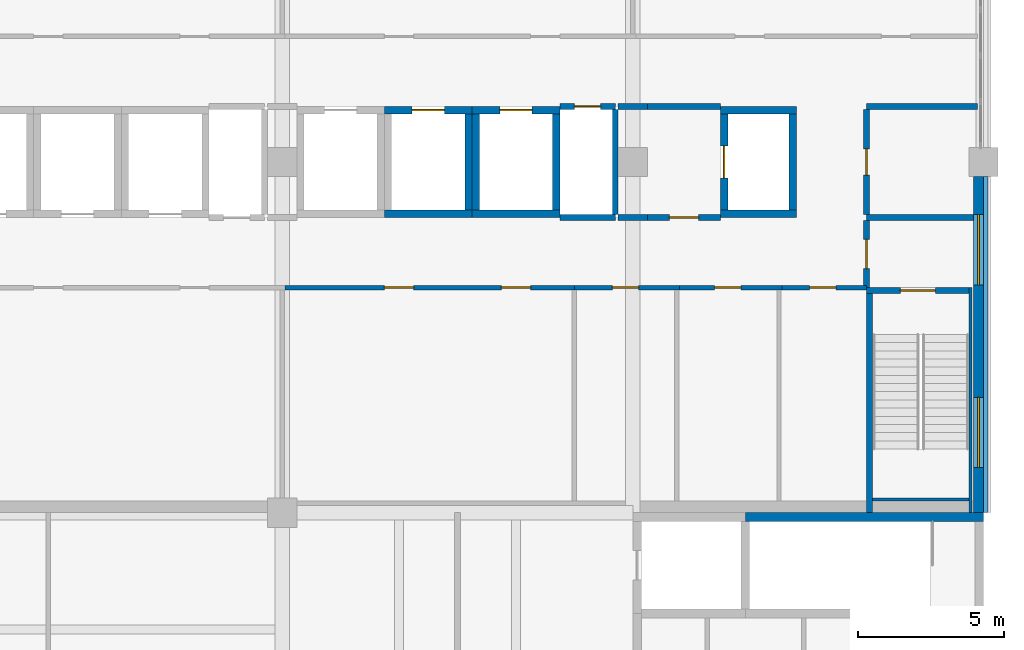
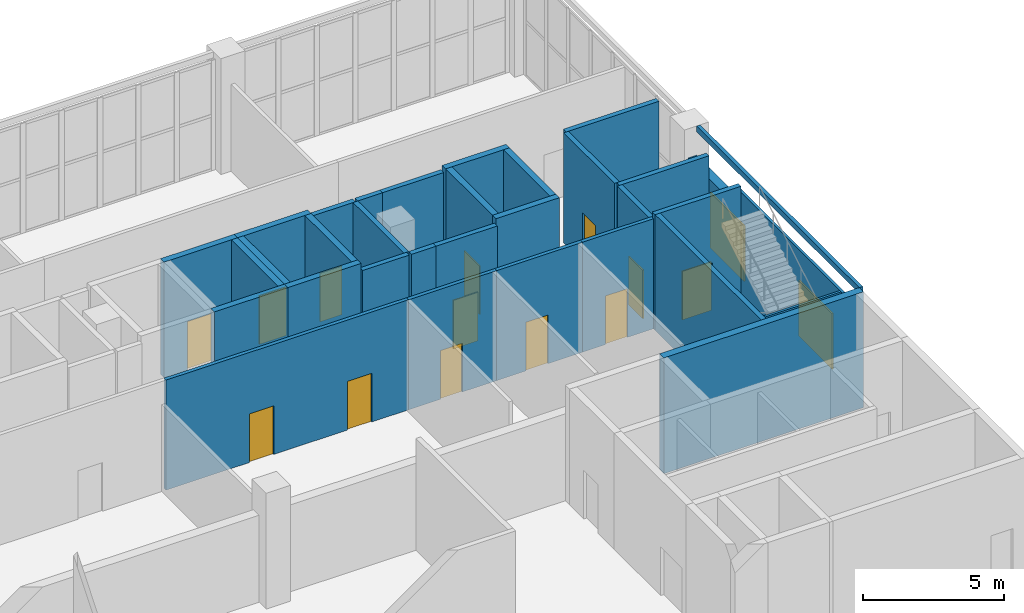
# One storey, part 64 of 69: 33 walls, 13 doors, 2 windows, 15 openings.
"""IFC4 building model written with IfcOpenShell, lengths in metres."""

from ifc_helpers import new_model, si_unit, direction, frame, frame_2d, origin, place, context, subcontext, project, spatial, rectangle, extrude, material, layer, layer_set, type_object, element, fill, save


model = new_model("IFC4")

# Units and contexts
model_context = context("Model", 3, precision=1e-05, world=origin(), true_north=direction((0.0, 1.0)))
body_context = subcontext(model_context, "Body", "Model", "MODEL_VIEW")
ifc_project = project(units=[si_unit("LENGTHUNIT", "METRE"), si_unit("AREAUNIT", "SQUARE_METRE"), si_unit("VOLUMEUNIT", "CUBIC_METRE"), si_unit("PLANEANGLEUNIT", "RADIAN"), si_unit("MASSUNIT", "GRAM", prefix="KILO")], contexts=[model_context])

# Site, building, storey
site_placement = place(None, origin())
site = spatial("IfcSite", under=ifc_project, at=site_placement, CompositionType="ELEMENT")
building_placement = place(site_placement, origin())
building = spatial("IfcBuilding", under=site, at=building_placement, Name="Lilac Gate Convention Centre", CompositionType="ELEMENT")
storey_placement = place(building_placement, frame((0.0, 0.0, 12.0)))
storey = spatial("IfcBuildingStorey", under=building, at=storey_placement, Name="L02", CompositionType="ELEMENT", Elevation=12.0)

# Walls
ifc_material_1 = material(Name="Concrete C60", Category="concrete")
ifc_layer_1 = layer(ifc_material_1, 0.10009765625)
ifc_layer_set_1 = layer_set([ifc_layer_1], Name="Concrete C60")
wall_type_1 = type_object("IfcWallType", Name="Core wall 100 C60", PredefinedType="SHEAR", material=ifc_layer_set_1)
wall_1_placement = place(storey_placement, frame((89.550048828125, 229.699951171875, 0.0), z_axis=(0.0, 0.0, 1.0), x_axis=(0.0, -1.0, 0.0)))
element("IfcWall", 1, at=wall_1_placement, inside=storey, type_object=wall_type_1, Name="CRW8 core wall TS-EX L02 1", PredefinedType="SHEAR", context=body_context, shape_type="SweptSolid", body=[
    extrude(rectangle(XDim=7.699951171875, YDim=0.10009765625, at=frame_2d((3.85009765625, 0.0))), origin(), (0.0, 0.0, 1.0), 4.75),
])
wall_2_placement = place(storey_placement, frame((89.5, 222.449951171875, 0.0), z_axis=(0.0, 0.0, 1.0), x_axis=(-1.0, 0.0, 0.0)))
element("IfcWall", 2, at=wall_2_placement, inside=storey, type_object=wall_type_1, Name="CRW8 core wall TS-EX L02 2", PredefinedType="SHEAR", context=body_context, shape_type="SweptSolid", body=[
    extrude(rectangle(XDim=3.300048828125, YDim=0.10009765625, at=frame_2d((1.64990234375, 0.0))), origin(), (0.0, 0.0, 1.0), 4.75),
])

# Wall, opening, door
ifc_layer_2 = layer(ifc_material_1, 0.199951171875)
ifc_layer_set_2 = layer_set([ifc_layer_2], Name="Concrete C60")
wall_type_2 = type_object("IfcWallType", Name="Core wall 200 C60", PredefinedType="SHEAR", material=ifc_layer_set_2)
wall_3_placement = place(storey_placement, frame((89.5, 229.60009765625, 0.0), z_axis=(0.0, 0.0, 1.0), x_axis=(-1.0, 0.0, 0.0)))
wall_3 = element("IfcWall", 3, at=wall_3_placement, inside=storey, type_object=wall_type_2, Name="CRW2 core wall TS-E L02 1", PredefinedType="SHEAR", context=body_context, shape_type="SweptSolid", body=[
    extrude(rectangle(XDim=3.5, YDim=0.199951171875, at=frame_2d((1.75, 0.0))), origin(), (0.0, 0.0, 1.0), 5.0),
])
opening_1_placement = place(wall_3_placement, frame((1.14990234375, 0.0, 0.0)))
opening_1 = element("IfcOpeningElement", 4, at=opening_1_placement, cuts=wall_3, Name="Opening T02-034", PredefinedType="OPENING", context=body_context, shape_type="SweptSolid", body=[
    extrude(rectangle(XDim=1.199951171875, YDim=2.10009765625, at=frame_2d((0.60009765625, 1.050048828125))), frame((0.0, 0.10986328125, 0.0), z_axis=(0.0, -1.0, 0.0), x_axis=(1.0, 0.0, 0.0)), (0.0, 0.0, 1.0), 0.219970703125),
])
ifc_material_2 = material(Name="Steel Q235B", Category="steel")
door_type_1 = type_object("IfcDoorType", Name="Stair door 1200", OperationType="SINGLE_SWING_LEFT", PredefinedType="DOOR", material=ifc_material_2)
door_1_placement = place(opening_1_placement, origin())
door_1 = element("IfcDoor", 5, at=door_1_placement, inside=storey, type_object=door_type_1, Name="Stair door SE L02", OperationType="SINGLE_SWING_RIGHT", OverallHeight=2.10009765625, OverallWidth=1.199951171875, PredefinedType="DOOR", context=body_context, shape_type="SweptSolid", body=[
    extrude(rectangle(XDim=1.199951171875, YDim=2.10009765625, at=frame_2d((0.60009765625, 1.050048828125))), frame((0.0, 0.02490234375, 0.0), z_axis=(0.0, -1.0, 0.0), x_axis=(1.0, 0.0, 0.0)), (0.0, 0.0, 1.0), 0.050048828125),
])
fill(opening_1, door_1)

# Walls
wall_4_placement = place(storey_placement, frame((86.10009765625, 222.0, 0.0), z_axis=(0.0, 0.0, 1.0), x_axis=(0.0, 1.0, 0.0)))
element("IfcWall", 6, at=wall_4_placement, inside=storey, type_object=wall_type_2, Name="CRW2 core wall TS-E L02 2", PredefinedType="SHEAR", context=body_context, shape_type="SweptSolid", body=[
    extrude(rectangle(XDim=7.5, YDim=0.199951171875, at=frame_2d((3.75, 0.0))), origin(), (0.0, 0.0, 1.0), 5.0),
])
ifc_layer_3 = layer(ifc_material_1, 0.25)
ifc_layer_set_3 = layer_set([ifc_layer_3], Name="Concrete C60")
wall_type_3 = type_object("IfcWallType", Name="Core wall 250 C60", PredefinedType="SHEAR", material=ifc_layer_set_3)
wall_5_placement = place(storey_placement, frame((69.5, 232.22509765625, 0.0), z_axis=(0.0, 0.0, 1.0), x_axis=(1.0, 0.0, 0.0)))
element("IfcWall", 7, at=wall_5_placement, inside=storey, type_object=wall_type_3, Name="CRW3 core wall TC L02 17", PredefinedType="SHEAR", context=body_context, shape_type="SweptSolid", body=[
    extrude(rectangle(XDim=3.0, YDim=0.25, at=frame_2d((1.5, 0.0))), origin(), (0.0, 0.0, 1.0), 5.0),
])

# Wall, opening, door
wall_6_placement = place(storey_placement, frame((69.5, 235.77490234375, 0.0), z_axis=(0.0, 0.0, 1.0), x_axis=(1.0, 0.0, 0.0)))
wall_6 = element("IfcWall", 8, at=wall_6_placement, inside=storey, type_object=wall_type_3, Name="CRW3 core wall TC L02 18", PredefinedType="SHEAR", context=body_context, shape_type="SweptSolid", body=[
    extrude(rectangle(XDim=3.0, YDim=0.25, at=frame_2d((1.5, 0.0))), origin(), (0.0, 0.0, 1.0), 5.0),
])
opening_2_placement = place(wall_6_placement, frame((0.949951171875, 0.0, 0.0)))
opening_2 = element("IfcOpeningElement", 9, at=opening_2_placement, cuts=wall_6, Name="Opening T02-028", PredefinedType="OPENING", context=body_context, shape_type="SweptSolid", body=[
    extrude(rectangle(XDim=1.10009765625, YDim=2.10009765625, at=frame_2d((0.550048828125, 1.050048828125))), frame((0.0, 0.135009765625, 0.0), z_axis=(0.0, -1.0, 0.0), x_axis=(1.0, 0.0, 0.0)), (0.0, 0.0, 1.0), 0.27001953125),
])
ifc_material_3 = material(Name="Stainless steel 304", Category="steel")
door_type_2 = type_object("IfcDoorType", Name="Lift landing door 1100", OperationType="SLIDING_TO_LEFT", PredefinedType="DOOR", material=ifc_material_3)
door_2_placement = place(opening_2_placement, origin())
door_2 = element("IfcDoor", 10, at=door_2_placement, inside=storey, type_object=door_type_2, Name="Lift landing door TP5 L02", OperationType="SLIDING_TO_LEFT", OverallHeight=2.10009765625, OverallWidth=1.10009765625, PredefinedType="DOOR", context=body_context, shape_type="SweptSolid", body=[
    extrude(rectangle(XDim=1.10009765625, YDim=2.10009765625, at=frame_2d((0.550048828125, 1.050048828125))), frame((0.0, 0.02490234375, 0.0), z_axis=(0.0, -1.0, 0.0), x_axis=(1.0, 0.0, 0.0)), (0.0, 0.0, 1.0), 0.050048828125),
])
fill(opening_2, door_2)

# Walls
wall_7_placement = place(storey_placement, frame((72.375, 232.35009765625, 0.0), z_axis=(0.0, 0.0, 1.0), x_axis=(0.0, 1.0, 0.0)))
element("IfcWall", 11, at=wall_7_placement, inside=storey, type_object=wall_type_3, Name="CRW3 core wall TC L02 20", PredefinedType="SHEAR", context=body_context, shape_type="SweptSolid", body=[
    extrude(rectangle(XDim=3.2998046875, YDim=0.25, at=frame_2d((1.64990234375, 0.0))), origin(), (0.0, 0.0, 1.0), 5.0),
])
wall_8_placement = place(storey_placement, frame((72.5, 232.22509765625, 0.0), z_axis=(0.0, 0.0, 1.0), x_axis=(1.0, 0.0, 0.0)))
element("IfcWall", 12, at=wall_8_placement, inside=storey, type_object=wall_type_3, Name="CRW3 core wall TC L02 21", PredefinedType="SHEAR", context=body_context, shape_type="SweptSolid", body=[
    extrude(rectangle(XDim=3.0, YDim=0.25, at=frame_2d((1.5, 0.0))), origin(), (0.0, 0.0, 1.0), 5.0),
])

# Wall, opening, door
wall_9_placement = place(storey_placement, frame((72.5, 235.77490234375, 0.0), z_axis=(0.0, 0.0, 1.0), x_axis=(1.0, 0.0, 0.0)))
wall_9 = element("IfcWall", 13, at=wall_9_placement, inside=storey, type_object=wall_type_3, Name="CRW3 core wall TC L02 22", PredefinedType="SHEAR", context=body_context, shape_type="SweptSolid", body=[
    extrude(rectangle(XDim=3.0, YDim=0.25, at=frame_2d((1.5, 0.0))), origin(), (0.0, 0.0, 1.0), 5.0),
])
opening_3_placement = place(wall_9_placement, frame((0.949951171875, 0.0, 0.0)))
opening_3 = element("IfcOpeningElement", 14, at=opening_3_placement, cuts=wall_9, Name="Opening T02-029", PredefinedType="OPENING", context=body_context, shape_type="SweptSolid", body=[
    extrude(rectangle(XDim=1.10009765625, YDim=2.10009765625, at=frame_2d((0.550048828125, 1.050048828125))), frame((0.0, 0.135009765625, 0.0), z_axis=(0.0, -1.0, 0.0), x_axis=(1.0, 0.0, 0.0)), (0.0, 0.0, 1.0), 0.27001953125),
])
door_3_placement = place(opening_3_placement, origin())
door_3 = element("IfcDoor", 15, at=door_3_placement, inside=storey, type_object=door_type_2, Name="Lift landing door TP6 L02", OperationType="SLIDING_TO_LEFT", OverallHeight=2.10009765625, OverallWidth=1.10009765625, PredefinedType="DOOR", context=body_context, shape_type="SweptSolid", body=[
    extrude(rectangle(XDim=1.10009765625, YDim=2.10009765625, at=frame_2d((0.550048828125, 1.050048828125))), frame((0.0, 0.02490234375, 0.0), z_axis=(0.0, -1.0, 0.0), x_axis=(1.0, 0.0, 0.0)), (0.0, 0.0, 1.0), 0.050048828125),
])
fill(opening_3, door_3)

# Walls
for number, where, z_axis, x_axis, name in (
    (16, (72.625, 232.35009765625, 0.0), (0.0, 0.0, 1.0), (0.0, 1.0, 0.0), "CRW3 core wall TC L02 23"),
    (17, (75.375, 232.35009765625, 0.0), (0.0, 0.0, 1.0), (0.0, 1.0, 0.0), "CRW3 core wall TC L02 24"),
):
    element("IfcWall", number, at=place(storey_placement, frame(where, z_axis=z_axis, x_axis=x_axis)), inside=storey, type_object=wall_type_3, Name=name, PredefinedType="SHEAR", context=body_context, shape_type="SweptSolid", body=[
        extrude(rectangle(XDim=3.2998046875, YDim=0.25, at=frame_2d((1.64990234375, 0.0))), origin(), (0.0, 0.0, 1.0), 5.0),
    ])
for number, where, z_axis, x_axis, name in (
    (18, (81.0, 232.22509765625, 0.0), (0.0, 0.0, 1.0), (1.0, 0.0, 0.0), "CRW3 core wall TC L02 33"),
    (19, (81.0, 235.77490234375, 0.0), (0.0, 0.0, 1.0), (1.0, 0.0, 0.0), "CRW3 core wall TC L02 34"),
):
    element("IfcWall", number, at=place(storey_placement, frame(where, z_axis=z_axis, x_axis=x_axis)), inside=storey, type_object=wall_type_3, Name=name, PredefinedType="SHEAR", context=body_context, shape_type="SweptSolid", body=[
        extrude(rectangle(XDim=2.60009765625, YDim=0.25, at=frame_2d((1.300048828125, 0.0))), origin(), (0.0, 0.0, 1.0), 5.0),
    ])

# Wall, opening, door
wall_10_placement = place(storey_placement, frame((81.125, 232.35009765625, 0.0), z_axis=(0.0, 0.0, 1.0), x_axis=(0.0, 1.0, 0.0)))
wall_10 = element("IfcWall", 20, at=wall_10_placement, inside=storey, type_object=wall_type_3, Name="CRW3 core wall TC L02 35", PredefinedType="SHEAR", context=body_context, shape_type="SweptSolid", body=[
    extrude(rectangle(XDim=3.2998046875, YDim=0.25, at=frame_2d((1.64990234375, 0.0))), origin(), (0.0, 0.0, 1.0), 5.0),
])
opening_4_placement = place(wall_10_placement, frame((1.10009765625, 0.0, 0.0)))
opening_4 = element("IfcOpeningElement", 21, at=opening_4_placement, cuts=wall_10, Name="Opening T02-032", PredefinedType="OPENING", context=body_context, shape_type="SweptSolid", body=[
    extrude(rectangle(XDim=1.10009765625, YDim=2.10009765625, at=frame_2d((0.550048828125, 1.050048828125))), frame((0.0, 0.135009765625, 0.0), z_axis=(0.0, -1.0, 0.0), x_axis=(1.0, 0.0, 0.0)), (0.0, 0.0, 1.0), 0.27001953125),
])
door_4_placement = place(opening_4_placement, origin())
door_4 = element("IfcDoor", 22, at=door_4_placement, inside=storey, type_object=door_type_2, Name="Lift landing door TF1 L02", OperationType="SLIDING_TO_LEFT", OverallHeight=2.10009765625, OverallWidth=1.10009765625, PredefinedType="DOOR", context=body_context, shape_type="SweptSolid", body=[
    extrude(rectangle(XDim=1.10009765625, YDim=2.10009765625, at=frame_2d((0.550048828125, 1.050048828125))), frame((0.0, 0.02490234375, 0.0), z_axis=(0.0, -1.0, 0.0), x_axis=(1.0, 0.0, 0.0)), (0.0, 0.0, 1.0), 0.050048828125),
])
fill(opening_4, door_4)

# Wall
wall_11_placement = place(storey_placement, frame((83.47509765625, 232.35009765625, 0.0), z_axis=(0.0, 0.0, 1.0), x_axis=(0.0, 1.0, 0.0)))
element("IfcWall", 23, at=wall_11_placement, inside=storey, type_object=wall_type_3, Name="CRW3 core wall TC L02 36", PredefinedType="SHEAR", context=body_context, shape_type="SweptSolid", body=[
    extrude(rectangle(XDim=3.2998046875, YDim=0.25, at=frame_2d((1.64990234375, 0.0))), origin(), (0.0, 0.0, 1.0), 5.0),
])

# Wall, openings, doors
ifc_material_4 = material(Name="Gypsum board on steel stud", Category="steel")
ifc_layer_4 = layer(ifc_material_4, 0.14990234375)
ifc_layer_set_4 = layer_set([ifc_layer_4], Name="Gypsum board on steel stud")
wall_type_4 = type_object("IfcWallType", Name="Corridor wall 150", PredefinedType="PARTITIONING", material=ifc_layer_set_4)
wall_12_placement = place(storey_placement, frame((76.0, 229.699951171875, 0.0), z_axis=(0.0, 0.0, 1.0), x_axis=(-1.0, 0.0, 0.0)))
wall_12 = element("IfcWall", 24, at=wall_12_placement, inside=storey, type_object=wall_type_4, Name="Corridor wall 150 front M53", PredefinedType="PARTITIONING", context=body_context, shape_type="SweptSolid", body=[
    extrude(rectangle(XDim=9.89990234375, YDim=0.14990234375, at=frame_2d((4.949951171875, 0.0))), origin(), (0.0, 0.0, 1.0), 4.75),
])
opening_5_placement = place(wall_12_placement, frame((5.5, 0.0, 0.0)))
opening_5 = element("IfcOpeningElement", 25, at=opening_5_placement, cuts=wall_12, Name="Opening T02-012", PredefinedType="OPENING", context=body_context, shape_type="SweptSolid", body=[
    extrude(rectangle(XDim=1.0, YDim=2.10009765625, at=frame_2d((0.5, 1.050048828125))), frame((0.0, 0.0849609375, 0.0), z_axis=(0.0, -1.0, 0.0), x_axis=(1.0, 0.0, 0.0)), (0.0, 0.0, 1.0), 0.169921875),
])
opening_6_placement = place(wall_12_placement, frame((1.5, 0.0, 0.0)))
opening_6 = element("IfcOpeningElement", 26, at=opening_6_placement, cuts=wall_12, Name="Opening T02-013", PredefinedType="OPENING", context=body_context, shape_type="SweptSolid", body=[
    extrude(rectangle(XDim=1.0, YDim=2.10009765625, at=frame_2d((0.5, 1.050048828125))), frame((0.0, 0.0849609375, 0.0), z_axis=(0.0, -1.0, 0.0), x_axis=(1.0, 0.0, 0.0)), (0.0, 0.0, 1.0), 0.169921875),
])
ifc_material_5 = material(Name="Timber", Category="wood")
door_type_3 = type_object("IfcDoorType", Name="Room door 1000", OperationType="SINGLE_SWING_LEFT", PredefinedType="DOOR", material=ifc_material_5)
door_5_placement = place(opening_5_placement, origin())
door_5 = element("IfcDoor", 27, at=door_5_placement, inside=storey, type_object=door_type_3, Name="Meeting Room door", OperationType="SINGLE_SWING_RIGHT", OverallHeight=2.10009765625, OverallWidth=1.0, PredefinedType="DOOR", context=body_context, shape_type="SweptSolid", body=[
    extrude(rectangle(XDim=1.0, YDim=2.10009765625, at=frame_2d((0.5, 1.050048828125))), frame((0.0, 0.02490234375, 0.0), z_axis=(0.0, -1.0, 0.0), x_axis=(1.0, 0.0, 0.0)), (0.0, 0.0, 1.0), 0.050048828125),
])
fill(opening_5, door_5)
door_6_placement = place(opening_6_placement, origin())
door_6 = element("IfcDoor", 28, at=door_6_placement, inside=storey, type_object=door_type_3, Name="Meeting Room door", OperationType="SINGLE_SWING_LEFT", OverallHeight=2.10009765625, OverallWidth=1.0, PredefinedType="DOOR", context=body_context, shape_type="SweptSolid", body=[
    extrude(rectangle(XDim=1.0, YDim=2.10009765625, at=frame_2d((0.5, 1.050048828125))), frame((0.0, 0.02490234375, 0.0), z_axis=(0.0, -1.0, 0.0), x_axis=(1.0, 0.0, 0.0)), (0.0, 0.0, 1.0), 0.050048828125),
])
fill(opening_6, door_6)

# Wall, opening, door
wall_13_placement = place(storey_placement, frame((79.60009765625, 229.699951171875, 0.0), z_axis=(0.0, 0.0, 1.0), x_axis=(-1.0, 0.0, 0.0)))
wall_13 = element("IfcWall", 29, at=wall_13_placement, inside=storey, type_object=wall_type_4, Name="Corridor wall 150 front WC-W", PredefinedType="PARTITIONING", context=body_context, shape_type="SweptSolid", body=[
    extrude(rectangle(XDim=3.60009765625, YDim=0.14990234375, at=frame_2d((1.800048828125, 0.0))), origin(), (0.0, 0.0, 1.0), 4.75),
])
opening_7_placement = place(wall_13_placement, frame((1.39990234375, 0.0, 0.0)))
opening_7 = element("IfcOpeningElement", 30, at=opening_7_placement, cuts=wall_13, Name="Opening T02-014", PredefinedType="OPENING", context=body_context, shape_type="SweptSolid", body=[
    extrude(rectangle(XDim=0.89990234375, YDim=2.10009765625, at=frame_2d((0.449951171875, 1.050048828125))), frame((0.0, 0.0849609375, 0.0), z_axis=(0.0, -1.0, 0.0), x_axis=(1.0, 0.0, 0.0)), (0.0, 0.0, 1.0), 0.169921875),
])
door_type_4 = type_object("IfcDoorType", Name="WC door 900", OperationType="SINGLE_SWING_LEFT", PredefinedType="DOOR", material=ifc_material_5)
door_7_placement = place(opening_7_placement, origin())
door_7 = element("IfcDoor", 31, at=door_7_placement, inside=storey, type_object=door_type_4, Name="Women's WC door", OperationType="SINGLE_SWING_LEFT", OverallHeight=2.10009765625, OverallWidth=0.89990234375, PredefinedType="DOOR", context=body_context, shape_type="SweptSolid", body=[
    extrude(rectangle(XDim=0.89990234375, YDim=2.10009765625, at=frame_2d((0.449951171875, 1.050048828125))), frame((0.0, 0.02490234375, 0.0), z_axis=(0.0, -1.0, 0.0), x_axis=(1.0, 0.0, 0.0)), (0.0, 0.0, 1.0), 0.050048828125),
])
fill(opening_7, door_7)

wall_14_placement = place(storey_placement, frame((83.10009765625, 229.699951171875, 0.0), z_axis=(0.0, 0.0, 1.0), x_axis=(-1.0, 0.0, 0.0)))
wall_14 = element("IfcWall", 32, at=wall_14_placement, inside=storey, type_object=wall_type_4, Name="Corridor wall 150 front WC-M", PredefinedType="PARTITIONING", context=body_context, shape_type="SweptSolid", body=[
    extrude(rectangle(XDim=3.5, YDim=0.14990234375, at=frame_2d((1.75, 0.0))), origin(), (0.0, 0.0, 1.0), 4.75),
])
opening_8_placement = place(wall_14_placement, frame((1.39990234375, 0.0, 0.0)))
opening_8 = element("IfcOpeningElement", 33, at=opening_8_placement, cuts=wall_14, Name="Opening T02-015", PredefinedType="OPENING", context=body_context, shape_type="SweptSolid", body=[
    extrude(rectangle(XDim=0.89990234375, YDim=2.10009765625, at=frame_2d((0.449951171875, 1.050048828125))), frame((0.0, 0.0849609375, 0.0), z_axis=(0.0, -1.0, 0.0), x_axis=(1.0, 0.0, 0.0)), (0.0, 0.0, 1.0), 0.169921875),
])
door_8_placement = place(opening_8_placement, origin())
door_8 = element("IfcDoor", 34, at=door_8_placement, inside=storey, type_object=door_type_4, Name="Men's WC door", OperationType="SINGLE_SWING_LEFT", OverallHeight=2.10009765625, OverallWidth=0.89990234375, PredefinedType="DOOR", context=body_context, shape_type="SweptSolid", body=[
    extrude(rectangle(XDim=0.89990234375, YDim=2.10009765625, at=frame_2d((0.449951171875, 1.050048828125))), frame((0.0, 0.02490234375, 0.0), z_axis=(0.0, -1.0, 0.0), x_axis=(1.0, 0.0, 0.0)), (0.0, 0.0, 1.0), 0.050048828125),
])
fill(opening_8, door_8)

wall_15_placement = place(storey_placement, frame((86.0, 229.699951171875, 0.0), z_axis=(0.0, 0.0, 1.0), x_axis=(-1.0, 0.0, 0.0)))
wall_15 = element("IfcWall", 35, at=wall_15_placement, inside=storey, type_object=wall_type_4, Name="Corridor wall 150 front WC-A", PredefinedType="PARTITIONING", context=body_context, shape_type="SweptSolid", body=[
    extrude(rectangle(XDim=2.89990234375, YDim=0.14990234375, at=frame_2d((1.449951171875, 0.0))), origin(), (0.0, 0.0, 1.0), 4.75),
])
opening_9_placement = place(wall_15_placement, frame((1.050048828125, 0.0, 0.0)))
opening_9 = element("IfcOpeningElement", 36, at=opening_9_placement, cuts=wall_15, Name="Opening T02-016", PredefinedType="OPENING", context=body_context, shape_type="SweptSolid", body=[
    extrude(rectangle(XDim=0.89990234375, YDim=2.10009765625, at=frame_2d((0.449951171875, 1.050048828125))), frame((0.0, 0.0849609375, 0.0), z_axis=(0.0, -1.0, 0.0), x_axis=(1.0, 0.0, 0.0)), (0.0, 0.0, 1.0), 0.169921875),
])
door_9_placement = place(opening_9_placement, origin())
door_9 = element("IfcDoor", 37, at=door_9_placement, inside=storey, type_object=door_type_4, Name="Accessible WC door", OperationType="SINGLE_SWING_RIGHT", OverallHeight=2.10009765625, OverallWidth=0.89990234375, PredefinedType="DOOR", context=body_context, shape_type="SweptSolid", body=[
    extrude(rectangle(XDim=0.89990234375, YDim=2.10009765625, at=frame_2d((0.449951171875, 1.050048828125))), frame((0.0, 0.02490234375, 0.0), z_axis=(0.0, -1.0, 0.0), x_axis=(1.0, 0.0, 0.0)), (0.0, 0.0, 1.0), 0.050048828125),
])
fill(opening_9, door_9)

ifc_layer_5 = layer(ifc_material_4, 0.199951171875)
ifc_layer_set_5 = layer_set([ifc_layer_5], Name="Gypsum board on steel stud")
wall_type_5 = type_object("IfcWallType", Name="Lobby wall 200", PredefinedType="PARTITIONING", material=ifc_layer_set_5)
wall_16_placement = place(storey_placement, frame((78.5, 232.10009765625, 0.0), z_axis=(0.0, 0.0, 1.0), x_axis=(1.0, 0.0, 0.0)))
wall_16 = element("IfcWall", 38, at=wall_16_placement, inside=storey, type_object=wall_type_5, Name="Lobby wall 200 FFL-S", PredefinedType="PARTITIONING", context=body_context, shape_type="SweptSolid", body=[
    extrude(rectangle(XDim=2.5, YDim=0.199951171875, at=frame_2d((1.25, 0.0))), origin(), (0.0, 0.0, 1.0), 4.75),
])
opening_10_placement = place(wall_16_placement, frame((0.75, 0.0, 0.0)))
opening_10 = element("IfcOpeningElement", 39, at=opening_10_placement, cuts=wall_16, Name="Opening T02-004", PredefinedType="OPENING", context=body_context, shape_type="SweptSolid", body=[
    extrude(rectangle(XDim=1.0, YDim=2.10009765625, at=frame_2d((0.5, 1.050048828125))), frame((0.0, 0.10986328125, 0.0), z_axis=(0.0, -1.0, 0.0), x_axis=(1.0, 0.0, 0.0)), (0.0, 0.0, 1.0), 0.219970703125),
])
door_type_5 = type_object("IfcDoorType", Name="Lobby door 1000", OperationType="SINGLE_SWING_LEFT", PredefinedType="DOOR", material=ifc_material_2)
door_10_placement = place(opening_10_placement, origin())
door_10 = element("IfcDoor", 40, at=door_10_placement, inside=storey, type_object=door_type_5, Name="Firefighting lobby door", OperationType="SINGLE_SWING_RIGHT", OverallHeight=2.10009765625, OverallWidth=1.0, PredefinedType="DOOR", context=body_context, shape_type="SweptSolid", body=[
    extrude(rectangle(XDim=1.0, YDim=2.10009765625, at=frame_2d((0.5, 1.050048828125))), frame((0.0, 0.02490234375, 0.0), z_axis=(0.0, -1.0, 0.0), x_axis=(1.0, 0.0, 0.0)), (0.0, 0.0, 1.0), 0.050048828125),
])
fill(opening_10, door_10)

# Walls
wall_17_placement = place(storey_placement, frame((86.0, 232.10009765625, 0.0), z_axis=(0.0, 0.0, 1.0), x_axis=(1.0, 0.0, 0.0)))
element("IfcWall", 41, at=wall_17_placement, inside=storey, type_object=wall_type_5, Name="Lobby wall 200 STL-N", PredefinedType="PARTITIONING", context=body_context, shape_type="SweptSolid", body=[
    extrude(rectangle(XDim=3.64990234375, YDim=0.199951171875, at=frame_2d((1.824951171875, 0.0))), origin(), (0.0, 0.0, 1.0), 4.75),
])
wall_18_placement = place(storey_placement, frame((78.5, 235.89990234375, 0.0), z_axis=(0.0, 0.0, 1.0), x_axis=(1.0, 0.0, 0.0)))
element("IfcWall", 42, at=wall_18_placement, inside=storey, type_object=wall_type_5, Name="Lobby wall 200 FFL-N", PredefinedType="PARTITIONING", context=body_context, shape_type="SweptSolid", body=[
    extrude(rectangle(XDim=2.5, YDim=0.199951171875, at=frame_2d((1.25, 0.0))), origin(), (0.0, 0.0, 1.0), 4.75),
])

# Wall, opening, door
wall_19_placement = place(storey_placement, frame((86.0, 232.0, 0.0), z_axis=(0.0, 0.0, 1.0), x_axis=(0.0, -1.0, 0.0)))
wall_19 = element("IfcWall", 43, at=wall_19_placement, inside=storey, type_object=wall_type_5, Name="Lobby wall 200 STL-SE-W", PredefinedType="PARTITIONING", context=body_context, shape_type="SweptSolid", body=[
    extrude(rectangle(XDim=2.300048828125, YDim=0.199951171875, at=frame_2d((1.14990234375, 0.0))), origin(), (0.0, 0.0, 1.0), 4.75),
])
opening_11_placement = place(wall_19_placement, frame((0.64990234375, 0.0, 0.0)))
opening_11 = element("IfcOpeningElement", 44, at=opening_11_placement, cuts=wall_19, Name="Opening T02-007", PredefinedType="OPENING", context=body_context, shape_type="SweptSolid", body=[
    extrude(rectangle(XDim=1.0, YDim=2.10009765625, at=frame_2d((0.5, 1.050048828125))), frame((0.0, 0.10986328125, 0.0), z_axis=(0.0, -1.0, 0.0), x_axis=(1.0, 0.0, 0.0)), (0.0, 0.0, 1.0), 0.219970703125),
])
door_11_placement = place(opening_11_placement, origin())
door_11 = element("IfcDoor", 45, at=door_11_placement, inside=storey, type_object=door_type_5, Name="Stair lobby door SE", OperationType="SINGLE_SWING_LEFT", OverallHeight=2.10009765625, OverallWidth=1.0, PredefinedType="DOOR", context=body_context, shape_type="SweptSolid", body=[
    extrude(rectangle(XDim=1.0, YDim=2.10009765625, at=frame_2d((0.5, 1.050048828125))), frame((0.0, 0.02490234375, 0.0), z_axis=(0.0, -1.0, 0.0), x_axis=(1.0, 0.0, 0.0)), (0.0, 0.0, 1.0), 0.050048828125),
])
fill(opening_11, door_11)

# Wall, openings, windows
ifc_material_6 = material(Name="Ochre mineral render")
ifc_layer_6 = layer(ifc_material_6, 0.02001953125)
ifc_material_7 = material(Name="Concrete C40 precast", Category="concrete")
ifc_layer_7 = layer(ifc_material_7, 0.06005859375)
ifc_material_8 = material(Name="Ventilated air cavity")
ifc_layer_8 = layer(ifc_material_8, 0.030029296875)
ifc_material_9 = material(Name="Mineral wool insulation")
ifc_layer_9 = layer(ifc_material_9, 0.169921875)
ifc_material_10 = material(Name="Steel stud Q345 and gypsum lining", Category="steel")
ifc_layer_10 = layer(ifc_material_10, 0.070068359375)
ifc_layer_set_6 = layer_set([ifc_layer_6, ifc_layer_7, ifc_layer_8, ifc_layer_9, ifc_layer_10], Name="Ochre mineral render, Concrete C40 precast, Ventilated air cavity, Mineral wool insulation, Steel stud Q345 and gypsum lining")
wall_type_6 = type_object("IfcWallType", Name="Podium precast wall 350", PredefinedType="STANDARD", material=ifc_layer_set_6)
wall_20_placement = place(storey_placement, frame((89.824951171875, 222.0, 0.0), z_axis=(0.0, 0.0, 1.0), x_axis=(0.0, 1.0, 0.0)))
wall_20 = element("IfcWall", 46, at=wall_20_placement, inside=storey, type_object=wall_type_6, Name="External wall E L02 1", PredefinedType="STANDARD", context=body_context, shape_type="SweptSolid", body=[
    extrude(rectangle(XDim=11.5, YDim=0.35009765625, at=frame_2d((5.75, 0.0))), origin(), (0.0, 0.0, 1.0), 3.75),
])
opening_12_placement = place(wall_20_placement, frame((1.550048828125, 0.0, 0.60009765625)))
opening_12 = element("IfcOpeningElement", 47, at=opening_12_placement, cuts=wall_20, Name="Opening W4", PredefinedType="OPENING", context=body_context, shape_type="SweptSolid", body=[
    extrude(rectangle(XDim=2.39990234375, YDim=2.39990234375, at=frame_2d((1.199951171875, 1.199951171875))), frame((0.0, 0.18505859375, 0.0), z_axis=(0.0, -1.0, 0.0), x_axis=(1.0, 0.0, 0.0)), (0.0, 0.0, 1.0), 0.3701171875),
])
opening_13_placement = place(wall_20_placement, frame((7.800048828125, 0.0, 0.60009765625)))
opening_13 = element("IfcOpeningElement", 48, at=opening_13_placement, cuts=wall_20, Name="Opening W4", PredefinedType="OPENING", context=body_context, shape_type="SweptSolid", body=[
    extrude(rectangle(XDim=2.39990234375, YDim=2.39990234375, at=frame_2d((1.199951171875, 1.199951171875))), frame((0.0, 0.18505859375, 0.0), z_axis=(0.0, -1.0, 0.0), x_axis=(1.0, 0.0, 0.0)), (0.0, 0.0, 1.0), 0.3701171875),
])
ifc_material_11 = material(Name="Aluminium framed double glazing", Category="aluminium")
window_type = type_object("IfcWindowType", Name="Restaurant window 2400 x 2400", PartitioningType="TRIPLE_PANEL_VERTICAL", PredefinedType="WINDOW", material=ifc_material_11)
window_1_placement = place(opening_12_placement, origin())
window_1 = element("IfcWindow", 49, at=window_1_placement, inside=storey, type_object=window_type, Name="Window restaurant E L02", OverallHeight=2.39990234375, OverallWidth=2.39990234375, PartitioningType="SINGLE_PANEL", PredefinedType="WINDOW", context=body_context, shape_type="SweptSolid", body=[
    extrude(rectangle(XDim=2.39990234375, YDim=2.39990234375, at=frame_2d((1.199951171875, 1.199951171875))), frame((0.0, 0.030029296875, 0.0), z_axis=(0.0, -1.0, 0.0), x_axis=(1.0, 0.0, 0.0)), (0.0, 0.0, 1.0), 0.06005859375),
])
fill(opening_12, window_1)
window_2_placement = place(opening_13_placement, origin())
window_2 = element("IfcWindow", 50, at=window_2_placement, inside=storey, type_object=window_type, Name="Window restaurant E L02", OverallHeight=2.39990234375, OverallWidth=2.39990234375, PartitioningType="SINGLE_PANEL", PredefinedType="WINDOW", context=body_context, shape_type="SweptSolid", body=[
    extrude(rectangle(XDim=2.39990234375, YDim=2.39990234375, at=frame_2d((1.199951171875, 1.199951171875))), frame((0.0, 0.030029296875, 0.0), z_axis=(0.0, -1.0, 0.0), x_axis=(1.0, 0.0, 0.0)), (0.0, 0.0, 1.0), 0.06005859375),
])
fill(opening_13, window_2)

# Walls
ifc_layer_11 = layer(ifc_material_7, 0.1298828125)
ifc_layer_12 = layer(ifc_material_6, 0.02001953125)
ifc_layer_set_7 = layer_set([ifc_layer_11, ifc_layer_12], Name="Concrete C40 precast, Ochre mineral render")
wall_type_7 = type_object("IfcWallType", Name="Precast band ochre 150", PredefinedType="STANDARD", material=ifc_layer_set_7)
wall_21_placement = place(storey_placement, frame((90.074951171875, 222.0, 4.75), z_axis=(0.0, 0.0, 1.0), x_axis=(0.0, 1.0, 0.0)))
element("IfcWall", 51, at=wall_21_placement, inside=storey, type_object=wall_type_7, Name="Precast band E L02 1", PredefinedType="STANDARD", context=body_context, shape_type="SweptSolid", body=[
    extrude(rectangle(XDim=11.5, YDim=0.14990234375, at=frame_2d((5.75, 0.0))), origin(), (0.0, 0.0, 1.0), 0.25),
])
ifc_layer_13 = layer(ifc_material_4, 0.199951171875)
ifc_layer_set_8 = layer_set([ifc_layer_13], Name="Gypsum board on steel stud")
wall_type_8 = type_object("IfcWallType", Name="Riser and store wall 200", PredefinedType="PARTITIONING", material=ifc_layer_set_8)
wall_22_placement = place(storey_placement, frame((75.5, 232.10009765625, 0.0), z_axis=(0.0, 0.0, 1.0), x_axis=(1.0, 0.0, 0.0)))
element("IfcWall", 52, at=wall_22_placement, inside=storey, type_object=wall_type_8, Name="Riser and store wall 200 RS2-S", PredefinedType="PARTITIONING", context=body_context, shape_type="SweptSolid", body=[
    extrude(rectangle(XDim=1.89990234375, YDim=0.199951171875, at=frame_2d((0.949951171875, 0.0))), origin(), (0.0, 0.0, 1.0), 4.75),
])
wall_23_placement = place(storey_placement, frame((77.5, 232.10009765625, 0.0), z_axis=(0.0, 0.0, 1.0), x_axis=(1.0, 0.0, 0.0)))
element("IfcWall", 53, at=wall_23_placement, inside=storey, type_object=wall_type_8, Name="Riser and store wall 200 NICHE3-S", PredefinedType="PARTITIONING", context=body_context, shape_type="SweptSolid", body=[
    extrude(rectangle(XDim=1.0, YDim=0.199951171875, at=frame_2d((0.5, 0.0))), origin(), (0.0, 0.0, 1.0), 4.75),
])

# Wall, opening, door
wall_24_placement = place(storey_placement, frame((77.39990234375, 235.89990234375, 0.0), z_axis=(0.0, 0.0, 1.0), x_axis=(-1.0, 0.0, 0.0)))
wall_24 = element("IfcWall", 54, at=wall_24_placement, inside=storey, type_object=wall_type_8, Name="Riser and store wall 200 RS2-N", PredefinedType="PARTITIONING", context=body_context, shape_type="SweptSolid", body=[
    extrude(rectangle(XDim=1.89990234375, YDim=0.199951171875, at=frame_2d((0.949951171875, 0.0))), origin(), (0.0, 0.0, 1.0), 4.75),
])
opening_14_placement = place(wall_24_placement, frame((0.5, 0.0, 0.0)))
opening_14 = element("IfcOpeningElement", 55, at=opening_14_placement, cuts=wall_24, Name="Opening T02-003", PredefinedType="OPENING", context=body_context, shape_type="SweptSolid", body=[
    extrude(rectangle(XDim=0.89990234375, YDim=2.10009765625, at=frame_2d((0.449951171875, 1.050048828125))), frame((0.0, 0.10986328125, 0.0), z_axis=(0.0, -1.0, 0.0), x_axis=(1.0, 0.0, 0.0)), (0.0, 0.0, 1.0), 0.219970703125),
])
door_type_6 = type_object("IfcDoorType", Name="Riser and store door 900", OperationType="SINGLE_SWING_LEFT", PredefinedType="DOOR", material=ifc_material_2)
door_12_placement = place(opening_14_placement, origin())
door_12 = element("IfcDoor", 56, at=door_12_placement, inside=storey, type_object=door_type_6, Name="Riser room door", OperationType="SINGLE_SWING_LEFT", OverallHeight=2.10009765625, OverallWidth=0.89990234375, PredefinedType="DOOR", context=body_context, shape_type="SweptSolid", body=[
    extrude(rectangle(XDim=0.89990234375, YDim=2.10009765625, at=frame_2d((0.449951171875, 1.050048828125))), frame((0.0, 0.02490234375, 0.0), z_axis=(0.0, -1.0, 0.0), x_axis=(1.0, 0.0, 0.0)), (0.0, 0.0, 1.0), 0.050048828125),
])
fill(opening_14, door_12)

# Walls
wall_25_placement = place(storey_placement, frame((77.5, 235.89990234375, 0.0), z_axis=(0.0, 0.0, 1.0), x_axis=(1.0, 0.0, 0.0)))
element("IfcWall", 57, at=wall_25_placement, inside=storey, type_object=wall_type_8, Name="Riser and store wall 200 NICHE3-N", PredefinedType="PARTITIONING", context=body_context, shape_type="SweptSolid", body=[
    extrude(rectangle(XDim=1.0, YDim=0.199951171875, at=frame_2d((0.5, 0.0))), origin(), (0.0, 0.0, 1.0), 4.75),
])
wall_26_placement = place(storey_placement, frame((86.0, 235.89990234375, 0.0), z_axis=(0.0, 0.0, 1.0), x_axis=(1.0, 0.0, 0.0)))
element("IfcWall", 58, at=wall_26_placement, inside=storey, type_object=wall_type_8, Name="Riser and store wall 200 STE-N", PredefinedType="PARTITIONING", context=body_context, shape_type="SweptSolid", body=[
    extrude(rectangle(XDim=3.7998046875, YDim=0.199951171875, at=frame_2d((1.89990234375, 0.0))), origin(), (0.0, 0.0, 1.0), 4.75),
])
wall_27_placement = place(storey_placement, frame((77.39990234375, 232.199951171875, 0.0), z_axis=(0.0, 0.0, 1.0), x_axis=(0.0, 1.0, 0.0)))
element("IfcWall", 59, at=wall_27_placement, inside=storey, type_object=wall_type_8, Name="Riser and store wall 200 RS2-E", PredefinedType="PARTITIONING", context=body_context, shape_type="SweptSolid", body=[
    extrude(rectangle(XDim=3.60009765625, YDim=0.199951171875, at=frame_2d((1.800048828125, 0.0))), origin(), (0.0, 0.0, 1.0), 4.75),
])

# Wall, opening, door
wall_28_placement = place(storey_placement, frame((86.0, 235.800048828125, 0.0), z_axis=(0.0, 0.0, 1.0), x_axis=(0.0, -1.0, 0.0)))
wall_28 = element("IfcWall", 60, at=wall_28_placement, inside=storey, type_object=wall_type_8, Name="Riser and store wall 200 STE-W", PredefinedType="PARTITIONING", context=body_context, shape_type="SweptSolid", body=[
    extrude(rectangle(XDim=3.60009765625, YDim=0.199951171875, at=frame_2d((1.800048828125, 0.0))), origin(), (0.0, 0.0, 1.0), 4.75),
])
opening_15_placement = place(wall_28_placement, frame((1.35009765625, 0.0, 0.0)))
opening_15 = element("IfcOpeningElement", 61, at=opening_15_placement, cuts=wall_28, Name="Opening T02-005", PredefinedType="OPENING", context=body_context, shape_type="SweptSolid", body=[
    extrude(rectangle(XDim=0.89990234375, YDim=2.10009765625, at=frame_2d((0.449951171875, 1.050048828125))), frame((0.0, 0.10986328125, 0.0), z_axis=(0.0, -1.0, 0.0), x_axis=(1.0, 0.0, 0.0)), (0.0, 0.0, 1.0), 0.219970703125),
])
door_13_placement = place(opening_15_placement, origin())
door_13 = element("IfcDoor", 62, at=door_13_placement, inside=storey, type_object=door_type_6, Name="Linen store door", OperationType="SINGLE_SWING_LEFT", OverallHeight=2.10009765625, OverallWidth=0.89990234375, PredefinedType="DOOR", context=body_context, shape_type="SweptSolid", body=[
    extrude(rectangle(XDim=0.89990234375, YDim=2.10009765625, at=frame_2d((0.449951171875, 1.050048828125))), frame((0.0, 0.02490234375, 0.0), z_axis=(0.0, -1.0, 0.0), x_axis=(1.0, 0.0, 0.0)), (0.0, 0.0, 1.0), 0.050048828125),
])
fill(opening_15, door_13)

# Wall
ifc_material_12 = material(Name="Concrete C40", Category="concrete")
ifc_layer_14 = layer(ifc_material_12, 0.300048828125)
ifc_layer_set_9 = layer_set([ifc_layer_14], Name="Concrete C40")
wall_type_9 = type_object("IfcWallType", Name="Shear wall 300 C40", PredefinedType="SHEAR", material=ifc_layer_set_9)
wall_29_placement = place(storey_placement, frame((90.0, 221.85009765625, 0.0), z_axis=(0.0, 0.0, 1.0), x_axis=(-1.0, 0.0, 0.0)))
element("IfcWall", 63, at=wall_29_placement, inside=storey, type_object=wall_type_9, Name="SW1 shear wall E4 L02 4", PredefinedType="SHEAR", context=body_context, shape_type="SweptSolid", body=[
    extrude(rectangle(XDim=8.14990234375, YDim=0.300048828125, at=frame_2d((4.074951171875, 0.0))), origin(), (0.0, 0.0, 1.0), 5.0),
])

save(model, "model.ifc")
